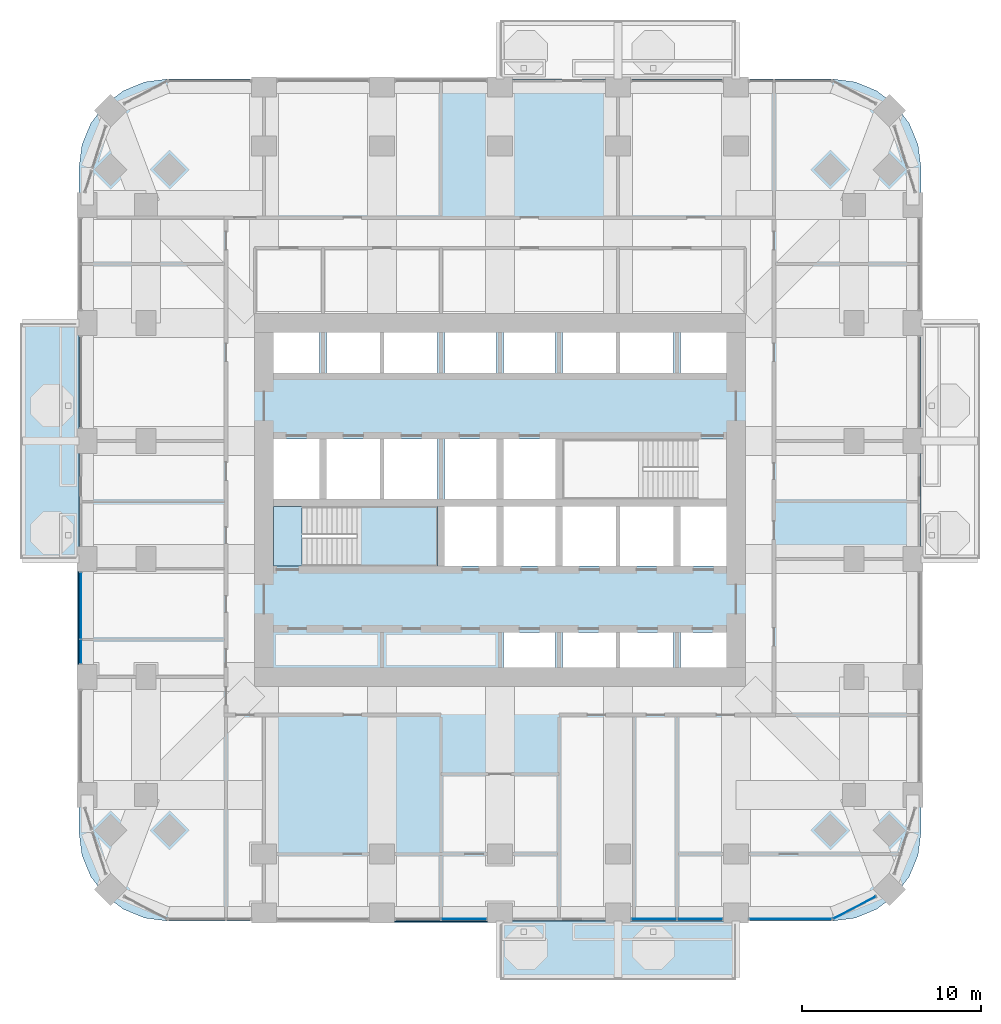
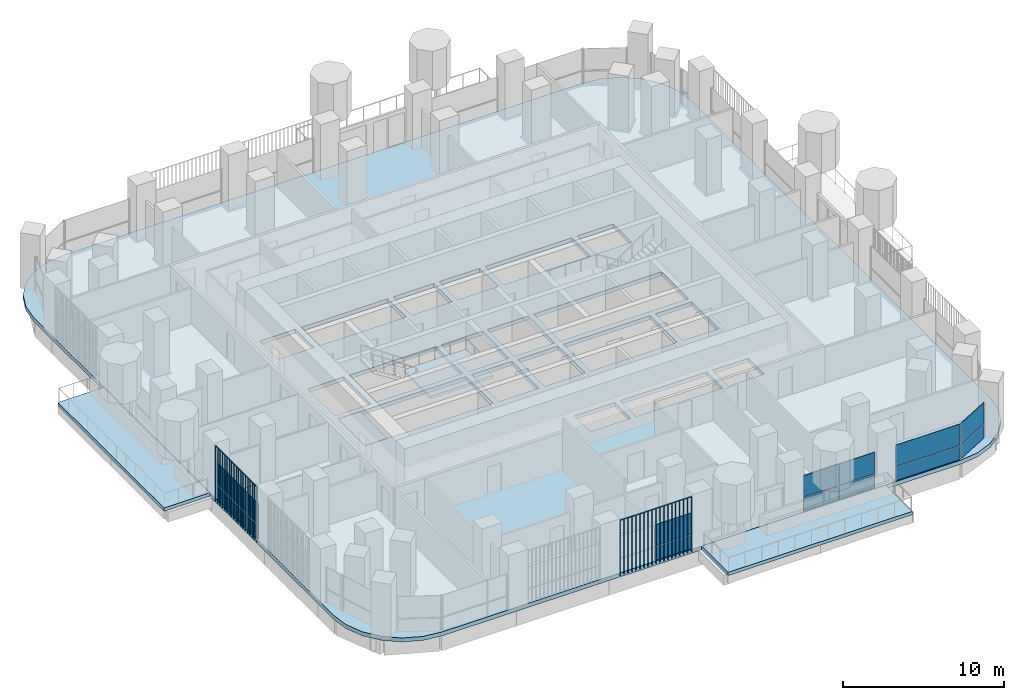
# One storey, part 10 of 23: 16 plates, 5 slabs, 6 elements without a shape of their own.
"""IFC4 building model written with IfcOpenShell, lengths in metres."""

from ifc_helpers import new_model, si_unit, direction, frame, origin, origin_2d, place, context, subcontext, project, spatial, polyline, rectangle, outline, extrude, material, layer, layer_set, type_object, element, aggregate, save


model = new_model("IFC4")

# Units and contexts
model_context = context("Model", 3, precision=1e-05, world=origin(), true_north=direction((0.0, 1.0)))
body_context = subcontext(model_context, "Body", "Model", "MODEL_VIEW")
ifc_project = project(units=[si_unit("LENGTHUNIT", "METRE"), si_unit("AREAUNIT", "SQUARE_METRE"), si_unit("VOLUMEUNIT", "CUBIC_METRE"), si_unit("PLANEANGLEUNIT", "RADIAN"), si_unit("MASSUNIT", "GRAM", prefix="KILO")], contexts=[model_context])

# Site, building, storey
site_placement = place(None, origin())
site = spatial("IfcSite", under=ifc_project, at=site_placement, CompositionType="ELEMENT")
building_placement = place(site_placement, origin())
building = spatial("IfcBuilding", under=site, at=building_placement, Name="Cobogo Forest Laboratory Tower", CompositionType="ELEMENT")
storey_placement = place(building_placement, frame((0.0, 0.0, 128.39990234375)))
storey = spatial("IfcBuildingStorey", under=building, at=storey_placement, Name="L29", CompositionType="ELEMENT", Elevation=128.39990234375)

# Slabs
ifc_material_1 = material(Name="Concrete HA-40 (C40/50)", Category="concrete")
ifc_layer_1 = layer(ifc_material_1, 0.25)
ifc_layer_set_1 = layer_set([ifc_layer_1], Name="Balcony slab 250")
slab_type_1 = type_object("IfcSlabType", Name="Balcony slab 250", PredefinedType="FLOOR", material=ifc_layer_set_1)
slab_1_placement = place(storey_placement, frame((0.0, 0.0, -0.25)))
element("IfcSlab", 1, at=slab_1_placement, inside=storey, type_object=slab_type_1, Name="Balcony BAL-S1 L29", PredefinedType="FLOOR", context=body_context, shape_type="SweptSolid", body=[
    extrude(outline(polyline([(26.39990234375, -3.75), (39.60009765625, -3.75), (39.60009765625, -0.449951171875), (26.39990234375, -0.449951171875), (26.39990234375, -3.75)])), origin(), (0.0, 0.0, 1.0), 0.25),
])
slab_2_placement = place(storey_placement, frame((0.0, 0.0, -0.25)))
element("IfcSlab", 2, at=slab_2_placement, inside=storey, type_object=slab_type_1, Name="Balcony BAL-W1 L29", PredefinedType="FLOOR", context=body_context, shape_type="SweptSolid", body=[
    extrude(outline(polyline([(-0.449951171875, 19.800048828125), (2.85009765625, 19.800048828125), (2.85009765625, 33.0), (-0.449951171875, 33.0), (-0.449951171875, 19.800048828125)])), origin(), (0.0, 0.0, 1.0), 0.25),
])
ifc_layer_2 = layer(ifc_material_1, 0.300048828125)
ifc_layer_set_2 = layer_set([ifc_layer_2], Name="Floor slab 300")
slab_type_2 = type_object("IfcSlabType", Name="Floor slab 300", PredefinedType="FLOOR", material=ifc_layer_set_2)
slab_3_placement = place(storey_placement, frame((0.0, 0.0, -0.2998046875)))
element("IfcSlab", 3, at=slab_3_placement, inside=storey, type_object=slab_type_2, Name="L29 floor slab", PredefinedType="FLOOR", context=body_context, shape_type="SweptSolid", body=[
    extrude(outline(polyline([(45.0, -0.449951171875), (46.28125, -0.28125), (47.47509765625, 0.213134765625), (48.500244140625, 0.999755859375), (49.286865234375, 2.02490234375), (49.78125, 3.21875), (49.949951171875, 4.5), (49.949951171875, 41.699951171875), (49.78125, 42.981201171875), (49.286865234375, 44.175048828125), (48.500244140625, 45.2001953125), (47.47509765625, 45.98681640625), (46.28125, 46.4814453125), (45.0, 46.64990234375), (7.800048828125, 46.64990234375), (6.518798828125, 46.4814453125), (5.324951171875, 45.98681640625), (4.2998046875, 45.2001953125), (3.51318359375, 44.175048828125), (3.0185546875, 42.981201171875), (2.85009765625, 41.699951171875), (2.85009765625, 4.5), (3.0185546875, 3.21875), (3.51318359375, 2.02490234375), (4.2998046875, 0.999755859375), (5.324951171875, 0.213134765625), (6.518798828125, -0.28125), (7.800048828125, -0.449951171875), (45.0, -0.449951171875)]), holes=[polyline([(29.5, 13.72509765625), (26.60009765625, 13.72509765625), (26.60009765625, 15.699951171875), (29.5, 15.699951171875), (29.5, 13.72509765625)]), polyline([(36.10009765625, 15.699951171875), (36.10009765625, 13.72509765625), (29.89990234375, 13.72509765625), (29.89990234375, 15.699951171875), (36.10009765625, 15.699951171875)]), polyline([(36.5, 13.72509765625), (36.5, 15.699951171875), (39.074951171875, 15.699951171875), (39.074951171875, 13.72509765625), (36.5, 13.72509765625)]), polyline([(13.72509765625, 19.39990234375), (13.72509765625, 22.75), (22.89990234375, 22.75), (22.89990234375, 19.39990234375), (13.72509765625, 19.39990234375)]), polyline([(23.300048828125, 19.39990234375), (23.300048828125, 22.75), (26.199951171875, 22.75), (26.199951171875, 19.39990234375), (23.300048828125, 19.39990234375)]), polyline([(29.5, 19.39990234375), (26.60009765625, 19.39990234375), (26.60009765625, 22.75), (29.5, 22.75), (29.5, 19.39990234375)]), polyline([(36.10009765625, 22.75), (36.10009765625, 19.39990234375), (29.89990234375, 19.39990234375), (29.89990234375, 22.75), (36.10009765625, 22.75)]), polyline([(39.074951171875, 19.39990234375), (36.5, 19.39990234375), (36.5, 22.75), (39.074951171875, 22.75), (39.074951171875, 19.39990234375)]), polyline([(16.300048828125, 23.14990234375), (13.72509765625, 23.14990234375), (13.72509765625, 26.5), (16.300048828125, 26.5), (16.300048828125, 23.14990234375)]), polyline([(22.89990234375, 26.5), (22.89990234375, 23.14990234375), (16.699951171875, 23.14990234375), (16.699951171875, 26.5), (22.89990234375, 26.5)]), polyline([(26.199951171875, 23.14990234375), (23.300048828125, 23.14990234375), (23.300048828125, 26.5), (26.199951171875, 26.5), (26.199951171875, 23.14990234375)]), polyline([(26.60009765625, 23.14990234375), (26.60009765625, 26.5), (29.5, 26.5), (29.5, 23.14990234375), (26.60009765625, 23.14990234375)]), polyline([(29.89990234375, 23.14990234375), (29.89990234375, 26.5), (39.074951171875, 26.5), (39.074951171875, 23.14990234375), (29.89990234375, 23.14990234375)]), polyline([(13.72509765625, 30.199951171875), (13.72509765625, 32.47509765625), (16.300048828125, 32.47509765625), (16.300048828125, 30.199951171875), (13.72509765625, 30.199951171875)]), polyline([(22.89990234375, 32.47509765625), (22.89990234375, 30.199951171875), (16.699951171875, 30.199951171875), (16.699951171875, 32.47509765625), (22.89990234375, 32.47509765625)]), polyline([(23.300048828125, 30.199951171875), (23.300048828125, 32.47509765625), (26.199951171875, 32.47509765625), (26.199951171875, 30.199951171875), (23.300048828125, 30.199951171875)]), polyline([(26.60009765625, 30.199951171875), (26.60009765625, 32.47509765625), (29.5, 32.47509765625), (29.5, 30.199951171875), (26.60009765625, 30.199951171875)]), polyline([(36.10009765625, 32.47509765625), (36.10009765625, 30.199951171875), (29.89990234375, 30.199951171875), (29.89990234375, 32.47509765625), (36.10009765625, 32.47509765625)]), polyline([(36.5, 30.199951171875), (36.5, 32.47509765625), (39.074951171875, 32.47509765625), (39.074951171875, 30.199951171875), (36.5, 30.199951171875)])]), origin(), (0.0, 0.0, 1.0), 0.2998046875),
])

# Curtain wall, plates
ifc_material_2 = material(Name="Aluminium curtain wall", Category="aluminium")
curtain_wall_type = type_object("IfcCurtainWallType", Name="CW-1 unitised curtain wall, clear glazing, laboratory floors zones A and B", PredefinedType="USERDEFINED", material=ifc_material_2)
curtain_wall_1_placement = place(storey_placement, origin())
curtain_wall_1 = element("IfcCurtainWall", 4, at=curtain_wall_1_placement, inside=storey, type_object=curtain_wall_type, Name="Curtain wall 03 L29", ObjectType="UNITISED CURTAIN WALL", PredefinedType="USERDEFINED")
ifc_material_3 = material(Name="Clear insulated glass", Category="glass")
ifc_layer_3 = layer(ifc_material_3, 0.028076171875)
ifc_layer_set_3 = layer_set([ifc_layer_3], Name="GP-1 clear insulated glass unit 28")
plate_type_1 = type_object("IfcPlateType", Name="GP-1 clear insulated glass unit 28", PredefinedType="CURTAIN_PANEL", material=ifc_layer_set_3)
plate_1_placement = place(storey_placement, frame((24.385009765625, -0.35009765625, 0.0), z_axis=(0.0, 0.0, 1.0), x_axis=(1.0, 0.0, 0.0)))
plate_1 = element("IfcPlate", 5, at=plate_1_placement, type_object=plate_type_1, Name="CW-1 panel 2.1", PredefinedType="CURTAIN_PANEL", context=body_context, shape_type="SweptSolid", body=[
    extrude(rectangle(XDim=2.510009765625, YDim=0.028076171875, at=origin_2d()), origin(), (0.0, 0.0, 1.0), 1.02001953125),
])
plate_2_placement = place(storey_placement, frame((24.385009765625, -0.35009765625, 1.080078125), z_axis=(0.0, 0.0, 1.0), x_axis=(1.0, 0.0, 0.0)))
plate_2 = element("IfcPlate", 6, at=plate_2_placement, type_object=plate_type_1, Name="CW-1 panel 2.2", PredefinedType="CURTAIN_PANEL", context=body_context, shape_type="SweptSolid", body=[
    extrude(rectangle(XDim=2.510009765625, YDim=0.028076171875, at=origin_2d()), origin(), (0.0, 0.0, 1.0), 1.6201171875),
])
aggregate(curtain_wall_1, [plate_1, plate_2])

curtain_wall_2_placement = place(storey_placement, origin())
curtain_wall_2 = element("IfcCurtainWall", 7, at=curtain_wall_2_placement, inside=storey, type_object=curtain_wall_type, Name="Curtain wall 05 L29", ObjectType="UNITISED CURTAIN WALL", PredefinedType="USERDEFINED")
plate_3_placement = place(storey_placement, frame((35.014892578125, -0.35009765625, 0.0), z_axis=(0.0, 0.0, 1.0), x_axis=(1.0, 0.0, 0.0)))
plate_3 = element("IfcPlate", 8, at=plate_3_placement, type_object=plate_type_1, Name="CW-1 panel 1.1", PredefinedType="CURTAIN_PANEL", context=body_context, shape_type="SweptSolid", body=[
    extrude(rectangle(XDim=2.510009765625, YDim=0.028076171875, at=origin_2d()), origin(), (0.0, 0.0, 1.0), 1.02001953125),
])
plate_4_placement = place(storey_placement, frame((35.014892578125, -0.35009765625, 1.080078125), z_axis=(0.0, 0.0, 1.0), x_axis=(1.0, 0.0, 0.0)))
plate_4 = element("IfcPlate", 9, at=plate_4_placement, type_object=plate_type_1, Name="CW-1 panel 1.2", PredefinedType="CURTAIN_PANEL", context=body_context, shape_type="SweptSolid", body=[
    extrude(rectangle(XDim=2.510009765625, YDim=0.028076171875, at=origin_2d()), origin(), (0.0, 0.0, 1.0), 1.6201171875),
])
plate_5_placement = place(storey_placement, frame((37.5849609375, -0.35009765625, 0.0), z_axis=(0.0, 0.0, 1.0), x_axis=(1.0, 0.0, 0.0)))
plate_5 = element("IfcPlate", 10, at=plate_5_placement, type_object=plate_type_1, Name="CW-1 panel 2.1", PredefinedType="CURTAIN_PANEL", context=body_context, shape_type="SweptSolid", body=[
    extrude(rectangle(XDim=2.510009765625, YDim=0.028076171875, at=origin_2d()), origin(), (0.0, 0.0, 1.0), 1.02001953125),
])
plate_6_placement = place(storey_placement, frame((37.5849609375, -0.35009765625, 1.080078125), z_axis=(0.0, 0.0, 1.0), x_axis=(1.0, 0.0, 0.0)))
plate_6 = element("IfcPlate", 11, at=plate_6_placement, type_object=plate_type_1, Name="CW-1 panel 2.2", PredefinedType="CURTAIN_PANEL", context=body_context, shape_type="SweptSolid", body=[
    extrude(rectangle(XDim=2.510009765625, YDim=0.028076171875, at=origin_2d()), origin(), (0.0, 0.0, 1.0), 1.6201171875),
])
aggregate(curtain_wall_2, [plate_3, plate_4, plate_5, plate_6])

curtain_wall_3_placement = place(storey_placement, origin())
curtain_wall_3 = element("IfcCurtainWall", 12, at=curtain_wall_3_placement, inside=storey, type_object=curtain_wall_type, Name="Curtain wall 06 L29", ObjectType="UNITISED CURTAIN WALL", PredefinedType="USERDEFINED")
plate_7_placement = place(storey_placement, frame((42.64990234375, -0.35009765625, 0.0), z_axis=(0.0, 0.0, 1.0), x_axis=(1.0, 0.0, 0.0)))
plate_7 = element("IfcPlate", 13, at=plate_7_placement, type_object=plate_type_1, Name="CW-1 panel 1.1", PredefinedType="CURTAIN_PANEL", context=body_context, shape_type="SweptSolid", body=[
    extrude(rectangle(XDim=4.580078125, YDim=0.028076171875, at=origin_2d()), origin(), (0.0, 0.0, 1.0), 1.02001953125),
])
plate_8_placement = place(storey_placement, frame((42.64990234375, -0.35009765625, 1.080078125), z_axis=(0.0, 0.0, 1.0), x_axis=(1.0, 0.0, 0.0)))
plate_8 = element("IfcPlate", 14, at=plate_8_placement, type_object=plate_type_1, Name="CW-1 panel 1.2", PredefinedType="CURTAIN_PANEL", context=body_context, shape_type="SweptSolid", body=[
    extrude(rectangle(XDim=4.580078125, YDim=0.028076171875, at=origin_2d()), origin(), (0.0, 0.0, 1.0), 1.6201171875),
])
aggregate(curtain_wall_3, [plate_7, plate_8])

curtain_wall_4_placement = place(storey_placement, origin())
curtain_wall_4 = element("IfcCurtainWall", 15, at=curtain_wall_4_placement, inside=storey, type_object=curtain_wall_type, Name="Curtain wall 07 L29", ObjectType="UNITISED CURTAIN WALL", PredefinedType="USERDEFINED")
plate_9_placement = place(storey_placement, frame((46.229248046875, 0.29443359375, 0.0), z_axis=(0.0, 0.0, 1.0), x_axis=(0.885686547075, 0.464283685186, 0.0)))
plate_9 = element("IfcPlate", 16, at=plate_9_placement, type_object=plate_type_1, Name="CW-1 panel 1.1", PredefinedType="CURTAIN_PANEL", context=body_context, shape_type="SweptSolid", body=[
    extrude(rectangle(XDim=2.655517578125, YDim=0.028076171875, at=origin_2d()), origin(), (0.0, 0.0, 1.0), 1.02001953125),
])
plate_10_placement = place(storey_placement, frame((46.229248046875, 0.29443359375, 1.080078125), z_axis=(0.0, 0.0, 1.0), x_axis=(0.885686547075, 0.464283685186, 0.0)))
plate_10 = element("IfcPlate", 17, at=plate_10_placement, type_object=plate_type_1, Name="CW-1 panel 1.2", PredefinedType="CURTAIN_PANEL", context=body_context, shape_type="SweptSolid", body=[
    extrude(rectangle(XDim=2.655517578125, YDim=0.028076171875, at=origin_2d()), origin(), (0.0, 0.0, 1.0), 1.6201171875),
])
aggregate(curtain_wall_4, [plate_9, plate_10])

curtain_wall_5_placement = place(storey_placement, origin())
curtain_wall_5 = element("IfcCurtainWall", 18, at=curtain_wall_5_placement, inside=storey, type_object=curtain_wall_type, Name="Curtain wall 30 L29", ObjectType="UNITISED CURTAIN WALL", PredefinedType="USERDEFINED")
plate_11_placement = place(storey_placement, frame((2.949951171875, 17.18505859375, 0.0), z_axis=(0.0, 0.0, 1.0), x_axis=(0.0, -1.0, 0.0)))
plate_11 = element("IfcPlate", 19, at=plate_11_placement, type_object=plate_type_1, Name="CW-1 panel 1.1", PredefinedType="CURTAIN_PANEL", context=body_context, shape_type="SweptSolid", body=[
    extrude(rectangle(XDim=3.7099609375, YDim=0.028076171875, at=origin_2d()), origin(), (0.0, 0.0, 1.0), 1.02001953125),
])
plate_12_placement = place(storey_placement, frame((2.949951171875, 17.18505859375, 1.080078125), z_axis=(0.0, 0.0, 1.0), x_axis=(0.0, -1.0, 0.0)))
plate_12 = element("IfcPlate", 20, at=plate_12_placement, type_object=plate_type_1, Name="CW-1 panel 1.2", PredefinedType="CURTAIN_PANEL", context=body_context, shape_type="SweptSolid", body=[
    extrude(rectangle(XDim=3.7099609375, YDim=0.028076171875, at=origin_2d()), origin(), (0.0, 0.0, 1.0), 1.6201171875),
])
plate_13_placement = place(storey_placement, frame((2.949951171875, 14.614990234375, 0.0), z_axis=(0.0, 0.0, 1.0), x_axis=(0.0, -1.0, 0.0)))
plate_13 = element("IfcPlate", 21, at=plate_13_placement, type_object=plate_type_1, Name="CW-1 panel 2.1", PredefinedType="CURTAIN_PANEL", context=body_context, shape_type="SweptSolid", body=[
    extrude(rectangle(XDim=1.31005859375, YDim=0.028076171875, at=origin_2d()), origin(), (0.0, 0.0, 1.0), 1.02001953125),
])
plate_14_placement = place(storey_placement, frame((2.949951171875, 14.614990234375, 1.080078125), z_axis=(0.0, 0.0, 1.0), x_axis=(0.0, -1.0, 0.0)))
plate_14 = element("IfcPlate", 22, at=plate_14_placement, type_object=plate_type_1, Name="CW-1 panel 2.2", PredefinedType="CURTAIN_PANEL", context=body_context, shape_type="SweptSolid", body=[
    extrude(rectangle(XDim=1.31005859375, YDim=0.028076171875, at=origin_2d()), origin(), (0.0, 0.0, 1.0), 1.6201171875),
])
aggregate(curtain_wall_5, [plate_11, plate_12, plate_13, plate_14])

# Stair, slabs
ifc_material_4 = material(Name="Precast concrete HA-40 (C40/50)", Category="concrete")
stair_type = type_object("IfcStairType", Name="ST24 exit stair 24 risers", PredefinedType="HALF_TURN_STAIR", material=ifc_material_4)
stair_placement = place(storey_placement, origin())
stair = element("IfcStair", 23, at=stair_placement, inside=storey, type_object=stair_type, Name="Stair 1 L29 to L30", PredefinedType="HALF_TURN_STAIR")
ifc_layer_4 = layer(ifc_material_1, 0.199951171875)
ifc_layer_set_4 = layer_set([ifc_layer_4], Name="SL stair landing 200")
slab_type_3 = type_object("IfcSlabType", Name="SL stair landing 200", PredefinedType="LANDING", material=ifc_layer_set_4)
slab_4_placement = place(storey_placement, frame((0.0, 0.0, -0.199951171875)))
slab_4 = element("IfcSlab", 24, at=slab_4_placement, type_object=slab_type_3, Name="ST1 landing 1", PredefinedType="LANDING", context=body_context, shape_type="SweptSolid", body=[
    extrude(outline(polyline([(13.72509765625, 19.39990234375), (15.326904296875, 19.39990234375), (15.326904296875, 22.75), (13.72509765625, 22.75), (13.72509765625, 19.39990234375)])), origin(), (0.0, 0.0, 1.0), 0.199951171875),
])
slab_5_placement = place(storey_placement, frame((0.0, 0.0, 1.900146484375)))
slab_5 = element("IfcSlab", 25, at=slab_5_placement, type_object=slab_type_3, Name="ST1 landing 2", PredefinedType="LANDING", context=body_context, shape_type="SweptSolid", body=[
    extrude(outline(polyline([(18.403076171875, 19.39990234375), (22.89990234375, 19.39990234375), (22.89990234375, 22.75), (18.403076171875, 22.75), (18.403076171875, 19.39990234375)])), origin(), (0.0, 0.0, 1.0), 0.199951171875),
])
aggregate(stair, [slab_4, slab_5])

# Plates
ifc_material_5 = material(Name="Terracotta", Category="masonry")
plate_type_2 = type_object("IfcPlateType", Name="TB1 terracotta baguette screen", PredefinedType="USERDEFINED", material=ifc_material_5)
plate_15_placement = place(storey_placement, frame((20.53125, -0.477783203125, -0.14990234375)))
element("IfcPlate", 26, at=plate_15_placement, inside=storey, type_object=plate_type_2, Name="Baguette screen S2 L29", ObjectType="BAGUETTE SCREEN", PredefinedType="USERDEFINED", context=body_context, shape_type="SweptSolid", body=[
    extrude(outline(polyline([(0.02880859375, 0.011962890625), (0.011962890625, 0.02880859375), (-0.011962890625, 0.02880859375), (-0.02880859375, 0.011962890625), (-0.02880859375, -0.011962890625), (-0.011962890625, -0.02880859375), (0.011962890625, -0.02880859375), (0.02880859375, -0.011962890625), (0.02880859375, 0.011962890625)])), frame((0.0, 0.0, 4.168701171875), z_axis=(1.0, 0.0, 0.0), x_axis=(0.0, 1.0, 0.0)), (0.0, 0.0, 1.0), 5.137451171875),
    extrude(outline(polyline([(0.02880859375, 0.011962890625), (0.011962890625, 0.02880859375), (-0.011962890625, 0.02880859375), (-0.02880859375, 0.011962890625), (-0.02880859375, -0.011962890625), (-0.011962890625, -0.02880859375), (0.011962890625, -0.02880859375), (0.02880859375, -0.011962890625), (0.02880859375, 0.011962890625)])), origin(), (0.0, 0.0, 1.0), 4.137451171875),
    extrude(outline(polyline([(0.02880859375, 0.011962890625), (0.011962890625, 0.02880859375), (-0.011962890625, 0.02880859375), (-0.02880859375, 0.011962890625), (-0.02880859375, -0.011962890625), (-0.011962890625, -0.02880859375), (0.011962890625, -0.02880859375), (0.02880859375, -0.011962890625), (0.02880859375, 0.011962890625)])), frame((0.285400390625, 0.0, 0.0)), (0.0, 0.0, 1.0), 4.137451171875),
    extrude(outline(polyline([(0.02880859375, 0.011962890625), (0.011962890625, 0.02880859375), (-0.011962890625, 0.02880859375), (-0.02880859375, 0.011962890625), (-0.02880859375, -0.011962890625), (-0.011962890625, -0.02880859375), (0.011962890625, -0.02880859375), (0.02880859375, -0.011962890625), (0.02880859375, 0.011962890625)])), frame((0.57080078125, 0.0, 0.0)), (0.0, 0.0, 1.0), 4.137451171875),
    extrude(outline(polyline([(0.02880859375, 0.011962890625), (0.011962890625, 0.02880859375), (-0.011962890625, 0.02880859375), (-0.02880859375, 0.011962890625), (-0.02880859375, -0.011962890625), (-0.011962890625, -0.02880859375), (0.011962890625, -0.02880859375), (0.02880859375, -0.011962890625), (0.02880859375, 0.011962890625)])), frame((0.856201171875, 0.0, 0.0)), (0.0, 0.0, 1.0), 4.137451171875),
    extrude(outline(polyline([(0.02880859375, 0.011962890625), (0.011962890625, 0.02880859375), (-0.011962890625, 0.02880859375), (-0.02880859375, 0.011962890625), (-0.02880859375, -0.011962890625), (-0.011962890625, -0.02880859375), (0.011962890625, -0.02880859375), (0.02880859375, -0.011962890625), (0.02880859375, 0.011962890625)])), frame((1.1416015625, 0.0, 0.0)), (0.0, 0.0, 1.0), 4.137451171875),
    extrude(outline(polyline([(0.02880859375, 0.011962890625), (0.011962890625, 0.02880859375), (-0.011962890625, 0.02880859375), (-0.02880859375, 0.011962890625), (-0.02880859375, -0.011962890625), (-0.011962890625, -0.02880859375), (0.011962890625, -0.02880859375), (0.02880859375, -0.011962890625), (0.02880859375, 0.011962890625)])), frame((1.427001953125, 0.0, 0.0)), (0.0, 0.0, 1.0), 4.137451171875),
    extrude(outline(polyline([(0.02880859375, 0.011962890625), (0.011962890625, 0.02880859375), (-0.011962890625, 0.02880859375), (-0.02880859375, 0.011962890625), (-0.02880859375, -0.011962890625), (-0.011962890625, -0.02880859375), (0.011962890625, -0.02880859375), (0.02880859375, -0.011962890625), (0.02880859375, 0.011962890625)])), frame((1.71240234375, 0.0, 0.0)), (0.0, 0.0, 1.0), 4.137451171875),
    extrude(outline(polyline([(0.02880859375, 0.011962890625), (0.011962890625, 0.02880859375), (-0.011962890625, 0.02880859375), (-0.02880859375, 0.011962890625), (-0.02880859375, -0.011962890625), (-0.011962890625, -0.02880859375), (0.011962890625, -0.02880859375), (0.02880859375, -0.011962890625), (0.02880859375, 0.011962890625)])), frame((1.997802734375, 0.0, 0.0)), (0.0, 0.0, 1.0), 4.137451171875),
    extrude(outline(polyline([(0.02880859375, 0.011962890625), (0.011962890625, 0.02880859375), (-0.011962890625, 0.02880859375), (-0.02880859375, 0.011962890625), (-0.02880859375, -0.011962890625), (-0.011962890625, -0.02880859375), (0.011962890625, -0.02880859375), (0.02880859375, -0.011962890625), (0.02880859375, 0.011962890625)])), frame((2.283203125, 0.0, 0.0)), (0.0, 0.0, 1.0), 4.137451171875),
    extrude(outline(polyline([(0.02880859375, 0.011962890625), (0.011962890625, 0.02880859375), (-0.011962890625, 0.02880859375), (-0.02880859375, 0.011962890625), (-0.02880859375, -0.011962890625), (-0.011962890625, -0.02880859375), (0.011962890625, -0.02880859375), (0.02880859375, -0.011962890625), (0.02880859375, 0.011962890625)])), frame((2.56884765625, 0.0, 0.0)), (0.0, 0.0, 1.0), 4.137451171875),
    extrude(outline(polyline([(0.02880859375, 0.011962890625), (0.011962890625, 0.02880859375), (-0.011962890625, 0.02880859375), (-0.02880859375, 0.011962890625), (-0.02880859375, -0.011962890625), (-0.011962890625, -0.02880859375), (0.011962890625, -0.02880859375), (0.02880859375, -0.011962890625), (0.02880859375, 0.011962890625)])), frame((2.854248046875, 0.0, 0.0)), (0.0, 0.0, 1.0), 4.137451171875),
    extrude(outline(polyline([(0.02880859375, 0.011962890625), (0.011962890625, 0.02880859375), (-0.011962890625, 0.02880859375), (-0.02880859375, 0.011962890625), (-0.02880859375, -0.011962890625), (-0.011962890625, -0.02880859375), (0.011962890625, -0.02880859375), (0.02880859375, -0.011962890625), (0.02880859375, 0.011962890625)])), frame((3.1396484375, 0.0, 0.0)), (0.0, 0.0, 1.0), 4.137451171875),
    extrude(outline(polyline([(0.02880859375, 0.011962890625), (0.011962890625, 0.02880859375), (-0.011962890625, 0.02880859375), (-0.02880859375, 0.011962890625), (-0.02880859375, -0.011962890625), (-0.011962890625, -0.02880859375), (0.011962890625, -0.02880859375), (0.02880859375, -0.011962890625), (0.02880859375, 0.011962890625)])), frame((3.425048828125, 0.0, 0.0)), (0.0, 0.0, 1.0), 4.137451171875),
    extrude(outline(polyline([(0.02880859375, 0.011962890625), (0.011962890625, 0.02880859375), (-0.011962890625, 0.02880859375), (-0.02880859375, 0.011962890625), (-0.02880859375, -0.011962890625), (-0.011962890625, -0.02880859375), (0.011962890625, -0.02880859375), (0.02880859375, -0.011962890625), (0.02880859375, 0.011962890625)])), frame((3.71044921875, 0.0, 0.0)), (0.0, 0.0, 1.0), 4.137451171875),
    extrude(outline(polyline([(0.02880859375, 0.011962890625), (0.011962890625, 0.02880859375), (-0.011962890625, 0.02880859375), (-0.02880859375, 0.011962890625), (-0.02880859375, -0.011962890625), (-0.011962890625, -0.02880859375), (0.011962890625, -0.02880859375), (0.02880859375, -0.011962890625), (0.02880859375, 0.011962890625)])), frame((3.995849609375, 0.0, 0.0)), (0.0, 0.0, 1.0), 4.137451171875),
    extrude(outline(polyline([(0.02880859375, 0.011962890625), (0.011962890625, 0.02880859375), (-0.011962890625, 0.02880859375), (-0.02880859375, 0.011962890625), (-0.02880859375, -0.011962890625), (-0.011962890625, -0.02880859375), (0.011962890625, -0.02880859375), (0.02880859375, -0.011962890625), (0.02880859375, 0.011962890625)])), frame((4.28125, 0.0, 0.0)), (0.0, 0.0, 1.0), 4.137451171875),
    extrude(outline(polyline([(0.02880859375, 0.011962890625), (0.011962890625, 0.02880859375), (-0.011962890625, 0.02880859375), (-0.02880859375, 0.011962890625), (-0.02880859375, -0.011962890625), (-0.011962890625, -0.02880859375), (0.011962890625, -0.02880859375), (0.02880859375, -0.011962890625), (0.02880859375, 0.011962890625)])), frame((4.566650390625, 0.0, 0.0)), (0.0, 0.0, 1.0), 4.137451171875),
    extrude(outline(polyline([(0.02880859375, 0.011962890625), (0.011962890625, 0.02880859375), (-0.011962890625, 0.02880859375), (-0.02880859375, 0.011962890625), (-0.02880859375, -0.011962890625), (-0.011962890625, -0.02880859375), (0.011962890625, -0.02880859375), (0.02880859375, -0.011962890625), (0.02880859375, 0.011962890625)])), frame((4.85205078125, 0.0, 0.0)), (0.0, 0.0, 1.0), 4.137451171875),
    extrude(outline(polyline([(0.02880859375, 0.011962890625), (0.011962890625, 0.02880859375), (-0.011962890625, 0.02880859375), (-0.02880859375, 0.011962890625), (-0.02880859375, -0.011962890625), (-0.011962890625, -0.02880859375), (0.011962890625, -0.02880859375), (0.02880859375, -0.011962890625), (0.02880859375, 0.011962890625)])), frame((5.137451171875, 0.0, 0.0)), (0.0, 0.0, 1.0), 4.137451171875),
])
plate_16_placement = place(storey_placement, frame((2.822021484375, 13.93115234375, -0.14990234375)))
element("IfcPlate", 27, at=plate_16_placement, inside=storey, type_object=plate_type_2, Name="Baguette screen W2 L29", ObjectType="BAGUETTE SCREEN", PredefinedType="USERDEFINED", context=body_context, shape_type="SweptSolid", body=[
    extrude(outline(polyline([(0.02880859375, 0.011962890625), (0.011962890625, 0.02880859375), (-0.011962890625, 0.02880859375), (-0.02880859375, 0.011962890625), (-0.02880859375, -0.011962890625), (-0.011962890625, -0.02880859375), (0.011962890625, -0.02880859375), (0.02880859375, -0.011962890625), (0.02880859375, 0.011962890625)])), frame((0.0, 0.0, 4.168701171875), z_axis=(0.0, 1.0, 0.0), x_axis=(-1.0, 0.0, 0.0)), (0.0, 0.0, 1.0), 5.1376953125),
    extrude(outline(polyline([(0.02880859375, 0.011962890625), (0.011962890625, 0.02880859375), (-0.011962890625, 0.02880859375), (-0.02880859375, 0.011962890625), (-0.02880859375, -0.011962890625), (-0.011962890625, -0.02880859375), (0.011962890625, -0.02880859375), (0.02880859375, -0.011962890625), (0.02880859375, 0.011962890625)])), origin(), (0.0, 0.0, 1.0), 4.137451171875),
    extrude(outline(polyline([(0.02880859375, 0.011962890625), (0.011962890625, 0.02880859375), (-0.011962890625, 0.02880859375), (-0.02880859375, 0.011962890625), (-0.02880859375, -0.011962890625), (-0.011962890625, -0.02880859375), (0.011962890625, -0.02880859375), (0.02880859375, -0.011962890625), (0.02880859375, 0.011962890625)])), frame((0.0, 0.285400390625, 0.0)), (0.0, 0.0, 1.0), 4.137451171875),
    extrude(outline(polyline([(0.02880859375, 0.011962890625), (0.011962890625, 0.02880859375), (-0.011962890625, 0.02880859375), (-0.02880859375, 0.011962890625), (-0.02880859375, -0.011962890625), (-0.011962890625, -0.02880859375), (0.011962890625, -0.02880859375), (0.02880859375, -0.011962890625), (0.02880859375, 0.011962890625)])), frame((0.0, 0.57080078125, 0.0)), (0.0, 0.0, 1.0), 4.137451171875),
    extrude(outline(polyline([(0.02880859375, 0.011962890625), (0.011962890625, 0.02880859375), (-0.011962890625, 0.02880859375), (-0.02880859375, 0.011962890625), (-0.02880859375, -0.011962890625), (-0.011962890625, -0.02880859375), (0.011962890625, -0.02880859375), (0.02880859375, -0.011962890625), (0.02880859375, 0.011962890625)])), frame((0.0, 0.856201171875, 0.0)), (0.0, 0.0, 1.0), 4.137451171875),
    extrude(outline(polyline([(0.02880859375, 0.011962890625), (0.011962890625, 0.02880859375), (-0.011962890625, 0.02880859375), (-0.02880859375, 0.011962890625), (-0.02880859375, -0.011962890625), (-0.011962890625, -0.02880859375), (0.011962890625, -0.02880859375), (0.02880859375, -0.011962890625), (0.02880859375, 0.011962890625)])), frame((0.0, 1.1416015625, 0.0)), (0.0, 0.0, 1.0), 4.137451171875),
    extrude(outline(polyline([(0.02880859375, 0.011962890625), (0.011962890625, 0.02880859375), (-0.011962890625, 0.02880859375), (-0.02880859375, 0.011962890625), (-0.02880859375, -0.011962890625), (-0.011962890625, -0.02880859375), (0.011962890625, -0.02880859375), (0.02880859375, -0.011962890625), (0.02880859375, 0.011962890625)])), frame((0.0, 1.42724609375, 0.0)), (0.0, 0.0, 1.0), 4.137451171875),
    extrude(outline(polyline([(0.02880859375, 0.011962890625), (0.011962890625, 0.02880859375), (-0.011962890625, 0.02880859375), (-0.02880859375, 0.011962890625), (-0.02880859375, -0.011962890625), (-0.011962890625, -0.02880859375), (0.011962890625, -0.02880859375), (0.02880859375, -0.011962890625), (0.02880859375, 0.011962890625)])), frame((0.0, 1.712646484375, 0.0)), (0.0, 0.0, 1.0), 4.137451171875),
    extrude(outline(polyline([(0.02880859375, 0.011962890625), (0.011962890625, 0.02880859375), (-0.011962890625, 0.02880859375), (-0.02880859375, 0.011962890625), (-0.02880859375, -0.011962890625), (-0.011962890625, -0.02880859375), (0.011962890625, -0.02880859375), (0.02880859375, -0.011962890625), (0.02880859375, 0.011962890625)])), frame((0.0, 1.998046875, 0.0)), (0.0, 0.0, 1.0), 4.137451171875),
    extrude(outline(polyline([(0.02880859375, 0.011962890625), (0.011962890625, 0.02880859375), (-0.011962890625, 0.02880859375), (-0.02880859375, 0.011962890625), (-0.02880859375, -0.011962890625), (-0.011962890625, -0.02880859375), (0.011962890625, -0.02880859375), (0.02880859375, -0.011962890625), (0.02880859375, 0.011962890625)])), frame((0.0, 2.283447265625, 0.0)), (0.0, 0.0, 1.0), 4.137451171875),
    extrude(outline(polyline([(0.02880859375, 0.011962890625), (0.011962890625, 0.02880859375), (-0.011962890625, 0.02880859375), (-0.02880859375, 0.011962890625), (-0.02880859375, -0.011962890625), (-0.011962890625, -0.02880859375), (0.011962890625, -0.02880859375), (0.02880859375, -0.011962890625), (0.02880859375, 0.011962890625)])), frame((0.0, 2.56884765625, 0.0)), (0.0, 0.0, 1.0), 4.137451171875),
    extrude(outline(polyline([(0.02880859375, 0.011962890625), (0.011962890625, 0.02880859375), (-0.011962890625, 0.02880859375), (-0.02880859375, 0.011962890625), (-0.02880859375, -0.011962890625), (-0.011962890625, -0.02880859375), (0.011962890625, -0.02880859375), (0.02880859375, -0.011962890625), (0.02880859375, 0.011962890625)])), frame((0.0, 2.854248046875, 0.0)), (0.0, 0.0, 1.0), 4.137451171875),
    extrude(outline(polyline([(0.02880859375, 0.011962890625), (0.011962890625, 0.02880859375), (-0.011962890625, 0.02880859375), (-0.02880859375, 0.011962890625), (-0.02880859375, -0.011962890625), (-0.011962890625, -0.02880859375), (0.011962890625, -0.02880859375), (0.02880859375, -0.011962890625), (0.02880859375, 0.011962890625)])), frame((0.0, 3.1396484375, 0.0)), (0.0, 0.0, 1.0), 4.137451171875),
    extrude(outline(polyline([(0.02880859375, 0.011962890625), (0.011962890625, 0.02880859375), (-0.011962890625, 0.02880859375), (-0.02880859375, 0.011962890625), (-0.02880859375, -0.011962890625), (-0.011962890625, -0.02880859375), (0.011962890625, -0.02880859375), (0.02880859375, -0.011962890625), (0.02880859375, 0.011962890625)])), frame((0.0, 3.425048828125, 0.0)), (0.0, 0.0, 1.0), 4.137451171875),
    extrude(outline(polyline([(0.02880859375, 0.011962890625), (0.011962890625, 0.02880859375), (-0.011962890625, 0.02880859375), (-0.02880859375, 0.011962890625), (-0.02880859375, -0.011962890625), (-0.011962890625, -0.02880859375), (0.011962890625, -0.02880859375), (0.02880859375, -0.011962890625), (0.02880859375, 0.011962890625)])), frame((0.0, 3.71044921875, 0.0)), (0.0, 0.0, 1.0), 4.137451171875),
    extrude(outline(polyline([(0.02880859375, 0.011962890625), (0.011962890625, 0.02880859375), (-0.011962890625, 0.02880859375), (-0.02880859375, 0.011962890625), (-0.02880859375, -0.011962890625), (-0.011962890625, -0.02880859375), (0.011962890625, -0.02880859375), (0.02880859375, -0.011962890625), (0.02880859375, 0.011962890625)])), frame((0.0, 3.99609375, 0.0)), (0.0, 0.0, 1.0), 4.137451171875),
    extrude(outline(polyline([(0.02880859375, 0.011962890625), (0.011962890625, 0.02880859375), (-0.011962890625, 0.02880859375), (-0.02880859375, 0.011962890625), (-0.02880859375, -0.011962890625), (-0.011962890625, -0.02880859375), (0.011962890625, -0.02880859375), (0.02880859375, -0.011962890625), (0.02880859375, 0.011962890625)])), frame((0.0, 4.281494140625, 0.0)), (0.0, 0.0, 1.0), 4.137451171875),
    extrude(outline(polyline([(0.02880859375, 0.011962890625), (0.011962890625, 0.02880859375), (-0.011962890625, 0.02880859375), (-0.02880859375, 0.011962890625), (-0.02880859375, -0.011962890625), (-0.011962890625, -0.02880859375), (0.011962890625, -0.02880859375), (0.02880859375, -0.011962890625), (0.02880859375, 0.011962890625)])), frame((0.0, 4.56689453125, 0.0)), (0.0, 0.0, 1.0), 4.137451171875),
    extrude(outline(polyline([(0.02880859375, 0.011962890625), (0.011962890625, 0.02880859375), (-0.011962890625, 0.02880859375), (-0.02880859375, 0.011962890625), (-0.02880859375, -0.011962890625), (-0.011962890625, -0.02880859375), (0.011962890625, -0.02880859375), (0.02880859375, -0.011962890625), (0.02880859375, 0.011962890625)])), frame((0.0, 4.852294921875, 0.0)), (0.0, 0.0, 1.0), 4.137451171875),
    extrude(outline(polyline([(0.02880859375, 0.011962890625), (0.011962890625, 0.02880859375), (-0.011962890625, 0.02880859375), (-0.02880859375, 0.011962890625), (-0.02880859375, -0.011962890625), (-0.011962890625, -0.02880859375), (0.011962890625, -0.02880859375), (0.02880859375, -0.011962890625), (0.02880859375, 0.011962890625)])), frame((0.0, 5.1376953125, 0.0)), (0.0, 0.0, 1.0), 4.137451171875),
])

save(model, "model.ifc")
